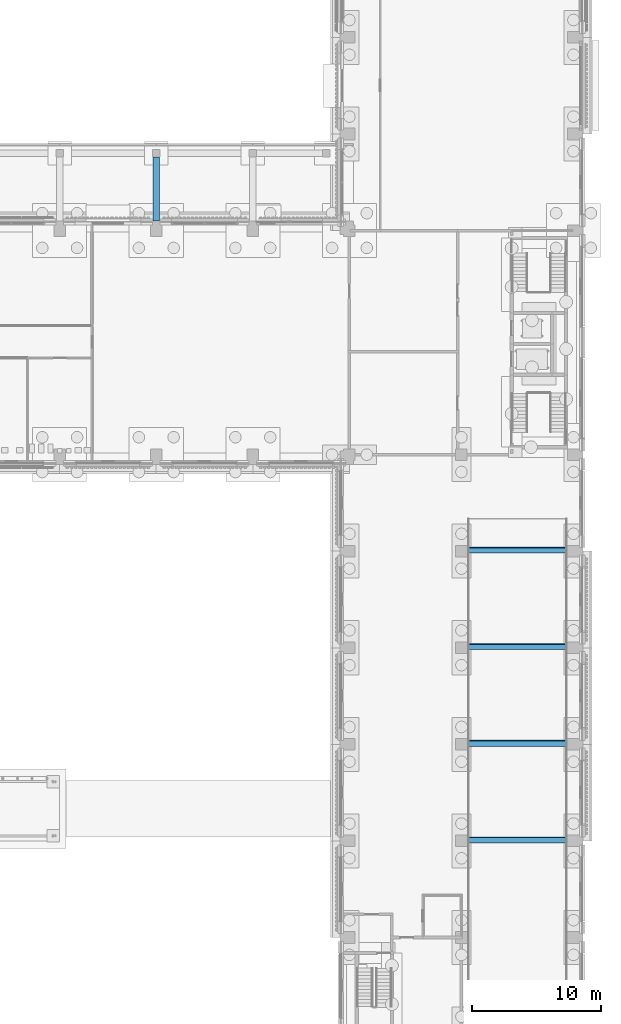
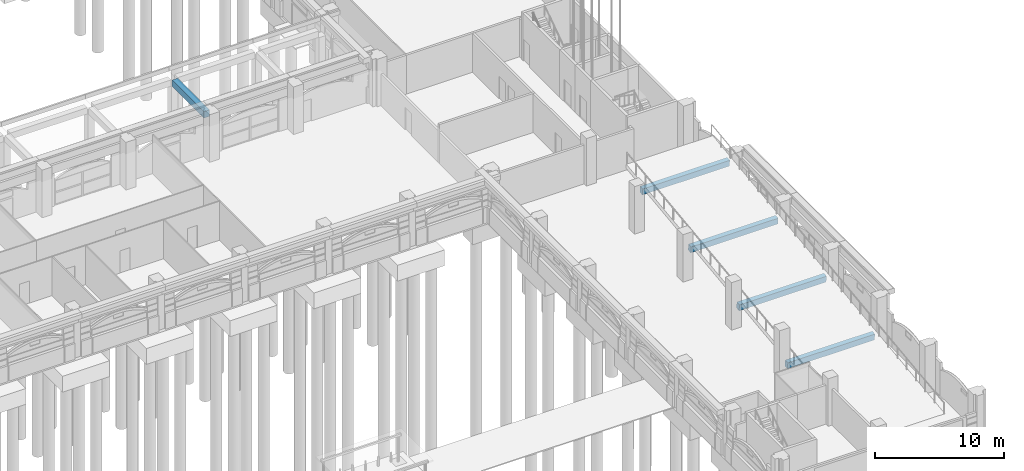
# One storey, part 26 of 99: 5 beams.
"""IFC4 building model written with IfcOpenShell, lengths in metres."""

from ifc_helpers import new_model, si_unit, direction, frame, origin, origin_2d, place, context, subcontext, project, spatial, rectangle, extrude, material, material_profile, profile_set, type_object, element, save


model = new_model("IFC4")

# Units and contexts
model_context = context("Model", 3, precision=1e-05, world=origin(), true_north=direction((0.0, 1.0)))
body_context = subcontext(model_context, "Body", "Model", "MODEL_VIEW")
ifc_project = project(units=[si_unit("LENGTHUNIT", "METRE"), si_unit("AREAUNIT", "SQUARE_METRE"), si_unit("VOLUMEUNIT", "CUBIC_METRE"), si_unit("PLANEANGLEUNIT", "RADIAN"), si_unit("MASSUNIT", "GRAM", prefix="KILO")], contexts=[model_context])

# Site, building, storey
site_placement = place(None, origin())
site = spatial("IfcSite", under=ifc_project, at=site_placement, CompositionType="ELEMENT")
building_placement = place(site_placement, origin())
building = spatial("IfcBuilding", under=site, at=building_placement, Name="Cour d'Honneur Mobility Palace", CompositionType="ELEMENT")
storey_placement = place(building_placement, origin())
storey = spatial("IfcBuildingStorey", under=building, at=storey_placement, Name="L00", CompositionType="ELEMENT", Elevation=0.0)

# Beams
ifc_material_1 = material(Name="Concrete C50", Category="concrete")
ifc_material_profile_1 = material_profile(ifc_material_1, rectangle(XDim=0.5, YDim=0.60009765625, at=origin_2d()), Name="Arcade beam 500x600")
ifc_profile_set_1 = profile_set([ifc_material_profile_1], Name="Concrete C50")
beam_type_1 = type_object("IfcBeamType", Name="Arcade beam 500x600", PredefinedType="BEAM", material=ifc_profile_set_1)
beam_placement = place(storey_placement, frame((129.89990234375, 63.14990234375, 3.699951171875), z_axis=(0.0, 1.0, 0.0), x_axis=(-1.0, 0.0, 0.0)))
element("IfcBeam", 1, at=beam_placement, inside=storey, type_object=beam_type_1, Name="Arcade beam AB-TE5", PredefinedType="BEAM", context=body_context, shape_type="SweptSolid", body=[
    extrude(rectangle(XDim=0.5, YDim=0.60009765625, at=origin_2d()), origin(), (0.0, 0.0, 1.0), 4.9501953125),
])
ifc_material_2 = material(Name="Concrete C40", Category="concrete")
ifc_material_profile_2 = material_profile(ifc_material_2, rectangle(XDim=0.39990234375, YDim=0.60009765625, at=origin_2d()), Name="Ramp cross beam 400x600")
ifc_profile_set_2 = profile_set([ifc_material_profile_2], Name="Concrete C40")
beam_type_2 = type_object("IfcBeamType", Name="Ramp cross beam 400x600", PredefinedType="BEAM", material=ifc_profile_set_2)
for number, where, z_axis, x_axis, name in (
    (2, (161.85009765625, 15.0869140625, 0.680419921875), (-1.0, 0.0, 0.0), (0.0, -0.992277877469, -0.124034728547), "Ramp cross beam SE.R0-1"),
    (3, (161.85009765625, 22.5869140625, 1.617919921875), (-1.0, 0.0, 0.0), (0.0, -0.992277877469, -0.124034728547), "Ramp cross beam SE.R0-2"),
    (4, (161.85009765625, 30.0869140625, 2.555419921875), (-1.0, 0.0, 0.0), (0.0, -0.992277877469, -0.124034728547), "Ramp cross beam SE.R0-3"),
    (5, (161.85009765625, 37.5869140625, 3.492919921875), (-1.0, 0.0, 0.0), (0.0, -0.992277877469, -0.124034728547), "Ramp cross beam SE.R0-4"),
):
    element("IfcBeam", number, at=place(storey_placement, frame(where, z_axis=z_axis, x_axis=x_axis)), inside=storey, type_object=beam_type_2, Name=name, PredefinedType="BEAM", context=body_context, shape_type="SweptSolid", body=[
        extrude(rectangle(XDim=0.39990234375, YDim=0.60009765625, at=origin_2d()), origin(), (0.0, 0.0, 1.0), 7.800048828125),
    ])

save(model, "model.ifc")
